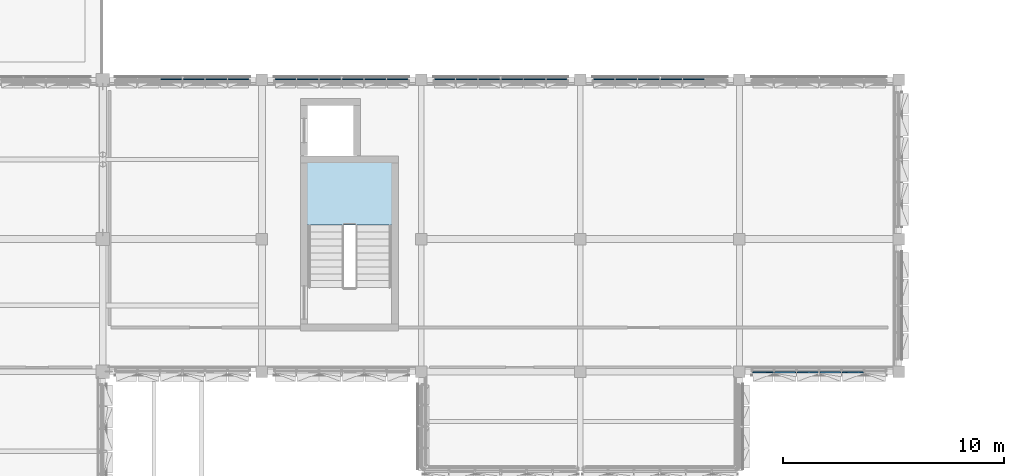
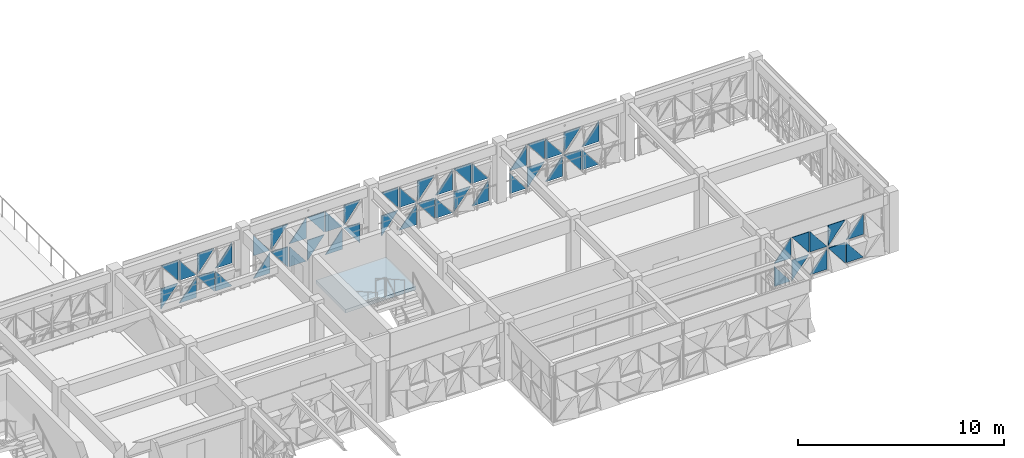
# One storey, part 39 of 99: 52 plates, 1 slab, 6 elements without a shape of their own.
"""IFC4 building model written with IfcOpenShell, lengths in metres."""

from ifc_helpers import new_model, si_unit, direction, frame, origin, place, context, subcontext, project, spatial, polyline, outline, extrude, material, layer, layer_set, type_object, element, aggregate, save


model = new_model("IFC4")

# Units and contexts
model_context = context("Model", 3, precision=1e-05, world=origin(), true_north=direction((0.0, 1.0)))
body_context = subcontext(model_context, "Body", "Model", "MODEL_VIEW")
ifc_project = project(units=[si_unit("LENGTHUNIT", "METRE"), si_unit("AREAUNIT", "SQUARE_METRE"), si_unit("VOLUMEUNIT", "CUBIC_METRE"), si_unit("PLANEANGLEUNIT", "RADIAN"), si_unit("MASSUNIT", "GRAM", prefix="KILO")], contexts=[model_context])

# Site, building, storey
site_placement = place(None, origin())
site = spatial("IfcSite", under=ifc_project, at=site_placement, CompositionType="ELEMENT")
building_placement = place(site_placement, origin())
building = spatial("IfcBuilding", under=site, at=building_placement, Name="Alvorim Cloister Faculty of Sciences", CompositionType="ELEMENT")
storey_placement = place(building_placement, frame((0.0, 0.0, 12.14990234375)))
storey = spatial("IfcBuildingStorey", under=building, at=storey_placement, Name="L03", CompositionType="ELEMENT", Elevation=12.14990234375)

# Curtain wall, plates
ifc_material_1 = material(Name="Aluminium and Low-E Glass Curtain Wall", Category="aluminium")
curtain_wall_type = type_object("IfcCurtainWallType", Name="CW-TRI-6120x2850", PredefinedType="USERDEFINED", material=ifc_material_1)
curtain_wall_1_placement = place(storey_placement, origin())
curtain_wall_1 = element("IfcCurtainWall", 1, at=curtain_wall_1_placement, inside=storey, type_object=curtain_wall_type, Name="L03 Diagonal Cassette Curtain Wall CW-0125", ObjectType="UNITISED CURTAIN WALL", PredefinedType="USERDEFINED")
ifc_material_2 = material(Name="Double Low-E Laminated Glass", Category="glass")
ifc_layer_1 = layer(ifc_material_2, 0.0400390625)
ifc_layer_set_1 = layer_set([ifc_layer_1], Name="Double Low-E Laminated Glass")
plate_type = type_object("IfcPlateType", Name="PN-GLZ-40", PredefinedType="CURTAIN_PANEL", material=ifc_layer_set_1)
plate_1_placement = place(storey_placement, frame((31.41259765625, 56.425048828125, 0.14013671875), z_axis=(0.0, 0.0, 1.0), x_axis=(1.0, 0.0, 0.0)))
plate_1 = element("IfcPlate", 2, at=plate_1_placement, type_object=plate_type, Name="Diagonal Glazed Triangle TRI-TL", PredefinedType="CURTAIN_PANEL", context=body_context, shape_type="SweptSolid", body=[
    extrude(outline(polyline([(0.953125, 1.21484375), (0.0, 1.21484375), (0.0, 0.001953125), (0.953125, 1.21484375)])), frame((0.0, 0.02490234375, 0.0), z_axis=(0.0, -1.0, 0.0), x_axis=(1.0, 0.0, 0.0)), (0.0, 0.0, 1.0), 0.050048828125),
])
plate_2_placement = place(storey_placement, frame((31.41259765625, 56.425048828125, 1.4951171875), z_axis=(0.0, 0.0, 1.0), x_axis=(1.0, 0.0, 0.0)))
plate_2 = element("IfcPlate", 3, at=plate_2_placement, type_object=plate_type, Name="Diagonal Glazed Triangle TRI-TR", PredefinedType="CURTAIN_PANEL", context=body_context, shape_type="SweptSolid", body=[
    extrude(outline(polyline([(0.955078125, 0.001953125), (0.955078125, 1.215087890625), (0.001953125, 1.215087890625), (0.955078125, 0.001953125)])), frame((0.0, 0.02490234375, 0.0), z_axis=(0.0, -1.0, 0.0), x_axis=(1.0, 0.0, 0.0)), (0.0, 0.0, 1.0), 0.050048828125),
])
plate_3_placement = place(storey_placement, frame((32.4326171875, 56.425048828125, 0.14013671875), z_axis=(0.0, 0.0, 1.0), x_axis=(1.0, 0.0, 0.0)))
plate_3 = element("IfcPlate", 4, at=plate_3_placement, type_object=plate_type, Name="Diagonal Glazed Triangle TRI-BR", PredefinedType="CURTAIN_PANEL", context=body_context, shape_type="SweptSolid", body=[
    extrude(outline(polyline([(0.001953125, 0.0), (0.955078125, 0.0), (0.955078125, 1.212890625), (0.001953125, 0.0)])), frame((0.0, 0.02490234375, 0.0), z_axis=(0.0, -1.0, 0.0), x_axis=(1.0, 0.0, 0.0)), (0.0, 0.0, 1.0), 0.050048828125),
])
plate_4_placement = place(storey_placement, frame((32.4326171875, 56.425048828125, 1.4951171875), z_axis=(0.0, 0.0, 1.0), x_axis=(1.0, 0.0, 0.0)))
plate_4 = element("IfcPlate", 5, at=plate_4_placement, type_object=plate_type, Name="Diagonal Glazed Triangle TRI-BL", PredefinedType="CURTAIN_PANEL", context=body_context, shape_type="SweptSolid", body=[
    extrude(outline(polyline([(0.0, 0.0), (0.953125, 0.0), (0.0, 1.213134765625), (0.0, 0.0)])), frame((0.0, 0.02490234375, 0.0), z_axis=(0.0, -1.0, 0.0), x_axis=(1.0, 0.0, 0.0)), (0.0, 0.0, 1.0), 0.050048828125),
])
plate_5_placement = place(storey_placement, frame((33.452392578125, 56.425048828125, 0.14013671875), z_axis=(0.0, 0.0, 1.0), x_axis=(1.0, 0.0, 0.0)))
plate_5 = element("IfcPlate", 6, at=plate_5_placement, type_object=plate_type, Name="Diagonal Glazed Triangle TRI-TR", PredefinedType="CURTAIN_PANEL", context=body_context, shape_type="SweptSolid", body=[
    extrude(outline(polyline([(0.955078125, 0.001953125), (0.955078125, 1.21484375), (0.001953125, 1.21484375), (0.955078125, 0.001953125)])), frame((0.0, 0.02490234375, 0.0), z_axis=(0.0, -1.0, 0.0), x_axis=(1.0, 0.0, 0.0)), (0.0, 0.0, 1.0), 0.050048828125),
])
plate_6_placement = place(storey_placement, frame((33.452392578125, 56.425048828125, 1.4951171875), z_axis=(0.0, 0.0, 1.0), x_axis=(1.0, 0.0, 0.0)))
plate_6 = element("IfcPlate", 7, at=plate_6_placement, type_object=plate_type, Name="Diagonal Glazed Triangle TRI-TL", PredefinedType="CURTAIN_PANEL", context=body_context, shape_type="SweptSolid", body=[
    extrude(outline(polyline([(0.953125, 1.215087890625), (0.0, 1.215087890625), (0.0, 0.001953125), (0.953125, 1.215087890625)])), frame((0.0, 0.02490234375, 0.0), z_axis=(0.0, -1.0, 0.0), x_axis=(1.0, 0.0, 0.0)), (0.0, 0.0, 1.0), 0.050048828125),
])
plate_7_placement = place(storey_placement, frame((34.472412109375, 56.425048828125, 0.14013671875), z_axis=(0.0, 0.0, 1.0), x_axis=(1.0, 0.0, 0.0)))
plate_7 = element("IfcPlate", 8, at=plate_7_placement, type_object=plate_type, Name="Diagonal Glazed Triangle TRI-BL", PredefinedType="CURTAIN_PANEL", context=body_context, shape_type="SweptSolid", body=[
    extrude(outline(polyline([(0.0, 0.0), (0.920654296875, 0.0), (0.0, 1.212890625), (0.0, 0.0)])), frame((0.0, 0.02490234375, 0.0), z_axis=(0.0, -1.0, 0.0), x_axis=(1.0, 0.0, 0.0)), (0.0, 0.0, 1.0), 0.050048828125),
])
plate_8_placement = place(storey_placement, frame((34.472412109375, 56.425048828125, 1.4951171875), z_axis=(0.0, 0.0, 1.0), x_axis=(1.0, 0.0, 0.0)))
plate_8 = element("IfcPlate", 9, at=plate_8_placement, type_object=plate_type, Name="Diagonal Glazed Triangle TRI-BR", PredefinedType="CURTAIN_PANEL", context=body_context, shape_type="SweptSolid", body=[
    extrude(outline(polyline([(0.001953125, 0.0), (0.922607421875, 0.0), (0.922607421875, 1.213134765625), (0.001953125, 0.0)])), frame((0.0, 0.02490234375, 0.0), z_axis=(0.0, -1.0, 0.0), x_axis=(1.0, 0.0, 0.0)), (0.0, 0.0, 1.0), 0.050048828125),
])
aggregate(curtain_wall_1, [plate_1, plate_2, plate_3, plate_4, plate_5, plate_6, plate_7, plate_8])

curtain_wall_2_placement = place(storey_placement, origin())
curtain_wall_2 = element("IfcCurtainWall", 10, at=curtain_wall_2_placement, inside=storey, type_object=curtain_wall_type, Name="L03 Diagonal Cassette Curtain Wall CW-0126", ObjectType="UNITISED CURTAIN WALL", PredefinedType="USERDEFINED")
plate_9_placement = place(storey_placement, frame((36.60498046875, 56.425048828125, 0.14013671875), z_axis=(0.0, 0.0, 1.0), x_axis=(1.0, 0.0, 0.0)))
plate_9 = element("IfcPlate", 11, at=plate_9_placement, type_object=plate_type, Name="Diagonal Glazed Triangle TRI-BR", PredefinedType="CURTAIN_PANEL", context=body_context, shape_type="SweptSolid", body=[
    extrude(outline(polyline([(0.001953125, 0.0), (0.922607421875, 0.0), (0.922607421875, 1.212890625), (0.001953125, 0.0)])), frame((0.0, 0.02490234375, 0.0), z_axis=(0.0, -1.0, 0.0), x_axis=(1.0, 0.0, 0.0)), (0.0, 0.0, 1.0), 0.050048828125),
])
plate_10_placement = place(storey_placement, frame((36.60498046875, 56.425048828125, 1.4951171875), z_axis=(0.0, 0.0, 1.0), x_axis=(1.0, 0.0, 0.0)))
plate_10 = element("IfcPlate", 12, at=plate_10_placement, type_object=plate_type, Name="Diagonal Glazed Triangle TRI-BL", PredefinedType="CURTAIN_PANEL", context=body_context, shape_type="SweptSolid", body=[
    extrude(outline(polyline([(0.0, 0.0), (0.920654296875, 0.0), (0.0, 1.213134765625), (0.0, 0.0)])), frame((0.0, 0.02490234375, 0.0), z_axis=(0.0, -1.0, 0.0), x_axis=(1.0, 0.0, 0.0)), (0.0, 0.0, 1.0), 0.050048828125),
])
plate_11_placement = place(storey_placement, frame((37.592529296875, 56.425048828125, 0.14013671875), z_axis=(0.0, 0.0, 1.0), x_axis=(1.0, 0.0, 0.0)))
plate_11 = element("IfcPlate", 13, at=plate_11_placement, type_object=plate_type, Name="Diagonal Glazed Triangle TRI-TR", PredefinedType="CURTAIN_PANEL", context=body_context, shape_type="SweptSolid", body=[
    extrude(outline(polyline([(0.955078125, 0.001953125), (0.955078125, 1.21484375), (0.001953125, 1.21484375), (0.955078125, 0.001953125)])), frame((0.0, 0.02490234375, 0.0), z_axis=(0.0, -1.0, 0.0), x_axis=(1.0, 0.0, 0.0)), (0.0, 0.0, 1.0), 0.050048828125),
])
plate_12_placement = place(storey_placement, frame((37.592529296875, 56.425048828125, 1.4951171875), z_axis=(0.0, 0.0, 1.0), x_axis=(1.0, 0.0, 0.0)))
plate_12 = element("IfcPlate", 14, at=plate_12_placement, type_object=plate_type, Name="Diagonal Glazed Triangle TRI-TL", PredefinedType="CURTAIN_PANEL", context=body_context, shape_type="SweptSolid", body=[
    extrude(outline(polyline([(0.953125, 1.215087890625), (0.0, 1.215087890625), (0.0, 0.001953125), (0.953125, 1.215087890625)])), frame((0.0, 0.02490234375, 0.0), z_axis=(0.0, -1.0, 0.0), x_axis=(1.0, 0.0, 0.0)), (0.0, 0.0, 1.0), 0.050048828125),
])
plate_13_placement = place(storey_placement, frame((38.612548828125, 56.425048828125, 0.14013671875), z_axis=(0.0, 0.0, 1.0), x_axis=(1.0, 0.0, 0.0)))
plate_13 = element("IfcPlate", 15, at=plate_13_placement, type_object=plate_type, Name="Diagonal Glazed Triangle TRI-BL", PredefinedType="CURTAIN_PANEL", context=body_context, shape_type="SweptSolid", body=[
    extrude(outline(polyline([(0.0, 0.0), (0.953125, 0.0), (0.0, 1.212890625), (0.0, 0.0)])), frame((0.0, 0.02490234375, 0.0), z_axis=(0.0, -1.0, 0.0), x_axis=(1.0, 0.0, 0.0)), (0.0, 0.0, 1.0), 0.050048828125),
])
plate_14_placement = place(storey_placement, frame((38.612548828125, 56.425048828125, 1.4951171875), z_axis=(0.0, 0.0, 1.0), x_axis=(1.0, 0.0, 0.0)))
plate_14 = element("IfcPlate", 16, at=plate_14_placement, type_object=plate_type, Name="Diagonal Glazed Triangle TRI-BR", PredefinedType="CURTAIN_PANEL", context=body_context, shape_type="SweptSolid", body=[
    extrude(outline(polyline([(0.001953125, 0.0), (0.955078125, 0.0), (0.955078125, 1.213134765625), (0.001953125, 0.0)])), frame((0.0, 0.02490234375, 0.0), z_axis=(0.0, -1.0, 0.0), x_axis=(1.0, 0.0, 0.0)), (0.0, 0.0, 1.0), 0.050048828125),
])
plate_15_placement = place(storey_placement, frame((39.632568359375, 56.425048828125, 0.14013671875), z_axis=(0.0, 0.0, 1.0), x_axis=(1.0, 0.0, 0.0)))
plate_15 = element("IfcPlate", 17, at=plate_15_placement, type_object=plate_type, Name="Diagonal Glazed Triangle TRI-TL", PredefinedType="CURTAIN_PANEL", context=body_context, shape_type="SweptSolid", body=[
    extrude(outline(polyline([(0.953125, 1.21484375), (0.0, 1.21484375), (0.0, 0.001953125), (0.953125, 1.21484375)])), frame((0.0, 0.02490234375, 0.0), z_axis=(0.0, -1.0, 0.0), x_axis=(1.0, 0.0, 0.0)), (0.0, 0.0, 1.0), 0.050048828125),
])
plate_16_placement = place(storey_placement, frame((39.632568359375, 56.425048828125, 1.4951171875), z_axis=(0.0, 0.0, 1.0), x_axis=(1.0, 0.0, 0.0)))
plate_16 = element("IfcPlate", 18, at=plate_16_placement, type_object=plate_type, Name="Diagonal Glazed Triangle TRI-TR", PredefinedType="CURTAIN_PANEL", context=body_context, shape_type="SweptSolid", body=[
    extrude(outline(polyline([(0.955078125, 0.001953125), (0.955078125, 1.215087890625), (0.001953125, 1.215087890625), (0.955078125, 0.001953125)])), frame((0.0, 0.02490234375, 0.0), z_axis=(0.0, -1.0, 0.0), x_axis=(1.0, 0.0, 0.0)), (0.0, 0.0, 1.0), 0.050048828125),
])
plate_17_placement = place(storey_placement, frame((40.652587890625, 56.425048828125, 0.14013671875), z_axis=(0.0, 0.0, 1.0), x_axis=(1.0, 0.0, 0.0)))
plate_17 = element("IfcPlate", 19, at=plate_17_placement, type_object=plate_type, Name="Diagonal Glazed Triangle TRI-BR", PredefinedType="CURTAIN_PANEL", context=body_context, shape_type="SweptSolid", body=[
    extrude(outline(polyline([(0.001953125, 0.0), (0.955078125, 0.0), (0.955078125, 1.212890625), (0.001953125, 0.0)])), frame((0.0, 0.02490234375, 0.0), z_axis=(0.0, -1.0, 0.0), x_axis=(1.0, 0.0, 0.0)), (0.0, 0.0, 1.0), 0.050048828125),
])
plate_18_placement = place(storey_placement, frame((40.652587890625, 56.425048828125, 1.4951171875), z_axis=(0.0, 0.0, 1.0), x_axis=(1.0, 0.0, 0.0)))
plate_18 = element("IfcPlate", 20, at=plate_18_placement, type_object=plate_type, Name="Diagonal Glazed Triangle TRI-BL", PredefinedType="CURTAIN_PANEL", context=body_context, shape_type="SweptSolid", body=[
    extrude(outline(polyline([(0.0, 0.0), (0.953125, 0.0), (0.0, 1.213134765625), (0.0, 0.0)])), frame((0.0, 0.02490234375, 0.0), z_axis=(0.0, -1.0, 0.0), x_axis=(1.0, 0.0, 0.0)), (0.0, 0.0, 1.0), 0.050048828125),
])
plate_19_placement = place(storey_placement, frame((41.672607421875, 56.425048828125, 0.14013671875), z_axis=(0.0, 0.0, 1.0), x_axis=(1.0, 0.0, 0.0)))
plate_19 = element("IfcPlate", 21, at=plate_19_placement, type_object=plate_type, Name="Diagonal Glazed Triangle TRI-TR", PredefinedType="CURTAIN_PANEL", context=body_context, shape_type="SweptSolid", body=[
    extrude(outline(polyline([(0.922607421875, 0.001953125), (0.922607421875, 1.21484375), (0.001953125, 1.21484375), (0.922607421875, 0.001953125)])), frame((0.0, 0.02490234375, 0.0), z_axis=(0.0, -1.0, 0.0), x_axis=(1.0, 0.0, 0.0)), (0.0, 0.0, 1.0), 0.050048828125),
])
plate_20_placement = place(storey_placement, frame((41.672607421875, 56.425048828125, 1.4951171875), z_axis=(0.0, 0.0, 1.0), x_axis=(1.0, 0.0, 0.0)))
plate_20 = element("IfcPlate", 22, at=plate_20_placement, type_object=plate_type, Name="Diagonal Glazed Triangle TRI-TL", PredefinedType="CURTAIN_PANEL", context=body_context, shape_type="SweptSolid", body=[
    extrude(outline(polyline([(0.920654296875, 1.215087890625), (0.0, 1.215087890625), (0.0, 0.001953125), (0.920654296875, 1.215087890625)])), frame((0.0, 0.02490234375, 0.0), z_axis=(0.0, -1.0, 0.0), x_axis=(1.0, 0.0, 0.0)), (0.0, 0.0, 1.0), 0.050048828125),
])
aggregate(curtain_wall_2, [plate_9, plate_10, plate_11, plate_12, plate_13, plate_14, plate_15, plate_16, plate_17, plate_18, plate_19, plate_20])

curtain_wall_3_placement = place(storey_placement, origin())
curtain_wall_3 = element("IfcCurtainWall", 23, at=curtain_wall_3_placement, inside=storey, type_object=curtain_wall_type, Name="L03 Diagonal Cassette Curtain Wall CW-0127", ObjectType="UNITISED CURTAIN WALL", PredefinedType="USERDEFINED")
plate_21_placement = place(storey_placement, frame((43.804931640625, 56.425048828125, 0.14013671875), z_axis=(0.0, 0.0, 1.0), x_axis=(1.0, 0.0, 0.0)))
plate_21 = element("IfcPlate", 24, at=plate_21_placement, type_object=plate_type, Name="Diagonal Glazed Triangle TRI-TL", PredefinedType="CURTAIN_PANEL", context=body_context, shape_type="SweptSolid", body=[
    extrude(outline(polyline([(0.920654296875, 1.21484375), (0.0, 1.21484375), (0.0, 0.001953125), (0.920654296875, 1.21484375)])), frame((0.0, 0.02490234375, 0.0), z_axis=(0.0, -1.0, 0.0), x_axis=(1.0, 0.0, 0.0)), (0.0, 0.0, 1.0), 0.050048828125),
])
plate_22_placement = place(storey_placement, frame((43.804931640625, 56.425048828125, 1.4951171875), z_axis=(0.0, 0.0, 1.0), x_axis=(1.0, 0.0, 0.0)))
plate_22 = element("IfcPlate", 25, at=plate_22_placement, type_object=plate_type, Name="Diagonal Glazed Triangle TRI-TR", PredefinedType="CURTAIN_PANEL", context=body_context, shape_type="SweptSolid", body=[
    extrude(outline(polyline([(0.922607421875, 0.001953125), (0.922607421875, 1.215087890625), (0.001953125, 1.215087890625), (0.922607421875, 0.001953125)])), frame((0.0, 0.02490234375, 0.0), z_axis=(0.0, -1.0, 0.0), x_axis=(1.0, 0.0, 0.0)), (0.0, 0.0, 1.0), 0.050048828125),
])
plate_23_placement = place(storey_placement, frame((44.79248046875, 56.425048828125, 0.14013671875), z_axis=(0.0, 0.0, 1.0), x_axis=(1.0, 0.0, 0.0)))
plate_23 = element("IfcPlate", 26, at=plate_23_placement, type_object=plate_type, Name="Diagonal Glazed Triangle TRI-BR", PredefinedType="CURTAIN_PANEL", context=body_context, shape_type="SweptSolid", body=[
    extrude(outline(polyline([(0.001953125, 0.0), (0.955078125, 0.0), (0.955078125, 1.212890625), (0.001953125, 0.0)])), frame((0.0, 0.02490234375, 0.0), z_axis=(0.0, -1.0, 0.0), x_axis=(1.0, 0.0, 0.0)), (0.0, 0.0, 1.0), 0.050048828125),
])
plate_24_placement = place(storey_placement, frame((44.79248046875, 56.425048828125, 1.4951171875), z_axis=(0.0, 0.0, 1.0), x_axis=(1.0, 0.0, 0.0)))
plate_24 = element("IfcPlate", 27, at=plate_24_placement, type_object=plate_type, Name="Diagonal Glazed Triangle TRI-BL", PredefinedType="CURTAIN_PANEL", context=body_context, shape_type="SweptSolid", body=[
    extrude(outline(polyline([(0.0, 0.0), (0.953125, 0.0), (0.0, 1.213134765625), (0.0, 0.0)])), frame((0.0, 0.02490234375, 0.0), z_axis=(0.0, -1.0, 0.0), x_axis=(1.0, 0.0, 0.0)), (0.0, 0.0, 1.0), 0.050048828125),
])
plate_25_placement = place(storey_placement, frame((45.8125, 56.425048828125, 0.14013671875), z_axis=(0.0, 0.0, 1.0), x_axis=(1.0, 0.0, 0.0)))
plate_25 = element("IfcPlate", 28, at=plate_25_placement, type_object=plate_type, Name="Diagonal Glazed Triangle TRI-TR", PredefinedType="CURTAIN_PANEL", context=body_context, shape_type="SweptSolid", body=[
    extrude(outline(polyline([(0.955078125, 0.001953125), (0.955078125, 1.21484375), (0.001953125, 1.21484375), (0.955078125, 0.001953125)])), frame((0.0, 0.02490234375, 0.0), z_axis=(0.0, -1.0, 0.0), x_axis=(1.0, 0.0, 0.0)), (0.0, 0.0, 1.0), 0.050048828125),
])
plate_26_placement = place(storey_placement, frame((45.8125, 56.425048828125, 1.4951171875), z_axis=(0.0, 0.0, 1.0), x_axis=(1.0, 0.0, 0.0)))
plate_26 = element("IfcPlate", 29, at=plate_26_placement, type_object=plate_type, Name="Diagonal Glazed Triangle TRI-TL", PredefinedType="CURTAIN_PANEL", context=body_context, shape_type="SweptSolid", body=[
    extrude(outline(polyline([(0.953125, 1.215087890625), (0.0, 1.215087890625), (0.0, 0.001953125), (0.953125, 1.215087890625)])), frame((0.0, 0.02490234375, 0.0), z_axis=(0.0, -1.0, 0.0), x_axis=(1.0, 0.0, 0.0)), (0.0, 0.0, 1.0), 0.050048828125),
])
plate_27_placement = place(storey_placement, frame((46.83251953125, 56.425048828125, 0.14013671875), z_axis=(0.0, 0.0, 1.0), x_axis=(1.0, 0.0, 0.0)))
plate_27 = element("IfcPlate", 30, at=plate_27_placement, type_object=plate_type, Name="Diagonal Glazed Triangle TRI-BL", PredefinedType="CURTAIN_PANEL", context=body_context, shape_type="SweptSolid", body=[
    extrude(outline(polyline([(0.0, 0.0), (0.953125, 0.0), (0.0, 1.212890625), (0.0, 0.0)])), frame((0.0, 0.02490234375, 0.0), z_axis=(0.0, -1.0, 0.0), x_axis=(1.0, 0.0, 0.0)), (0.0, 0.0, 1.0), 0.050048828125),
])
plate_28_placement = place(storey_placement, frame((46.83251953125, 56.425048828125, 1.4951171875), z_axis=(0.0, 0.0, 1.0), x_axis=(1.0, 0.0, 0.0)))
plate_28 = element("IfcPlate", 31, at=plate_28_placement, type_object=plate_type, Name="Diagonal Glazed Triangle TRI-BR", PredefinedType="CURTAIN_PANEL", context=body_context, shape_type="SweptSolid", body=[
    extrude(outline(polyline([(0.001953125, 0.0), (0.955078125, 0.0), (0.955078125, 1.213134765625), (0.001953125, 0.0)])), frame((0.0, 0.02490234375, 0.0), z_axis=(0.0, -1.0, 0.0), x_axis=(1.0, 0.0, 0.0)), (0.0, 0.0, 1.0), 0.050048828125),
])
plate_29_placement = place(storey_placement, frame((47.8525390625, 56.425048828125, 0.14013671875), z_axis=(0.0, 0.0, 1.0), x_axis=(1.0, 0.0, 0.0)))
plate_29 = element("IfcPlate", 32, at=plate_29_placement, type_object=plate_type, Name="Diagonal Glazed Triangle TRI-TL", PredefinedType="CURTAIN_PANEL", context=body_context, shape_type="SweptSolid", body=[
    extrude(outline(polyline([(0.953125, 1.21484375), (0.0, 1.21484375), (0.0, 0.001953125), (0.953125, 1.21484375)])), frame((0.0, 0.02490234375, 0.0), z_axis=(0.0, -1.0, 0.0), x_axis=(1.0, 0.0, 0.0)), (0.0, 0.0, 1.0), 0.050048828125),
])
plate_30_placement = place(storey_placement, frame((47.8525390625, 56.425048828125, 1.4951171875), z_axis=(0.0, 0.0, 1.0), x_axis=(1.0, 0.0, 0.0)))
plate_30 = element("IfcPlate", 33, at=plate_30_placement, type_object=plate_type, Name="Diagonal Glazed Triangle TRI-TR", PredefinedType="CURTAIN_PANEL", context=body_context, shape_type="SweptSolid", body=[
    extrude(outline(polyline([(0.955078125, 0.001953125), (0.955078125, 1.215087890625), (0.001953125, 1.215087890625), (0.955078125, 0.001953125)])), frame((0.0, 0.02490234375, 0.0), z_axis=(0.0, -1.0, 0.0), x_axis=(1.0, 0.0, 0.0)), (0.0, 0.0, 1.0), 0.050048828125),
])
plate_31_placement = place(storey_placement, frame((48.87255859375, 56.425048828125, 0.14013671875), z_axis=(0.0, 0.0, 1.0), x_axis=(1.0, 0.0, 0.0)))
plate_31 = element("IfcPlate", 34, at=plate_31_placement, type_object=plate_type, Name="Diagonal Glazed Triangle TRI-BR", PredefinedType="CURTAIN_PANEL", context=body_context, shape_type="SweptSolid", body=[
    extrude(outline(polyline([(0.001953125, 0.0), (0.922607421875, 0.0), (0.922607421875, 1.212890625), (0.001953125, 0.0)])), frame((0.0, 0.02490234375, 0.0), z_axis=(0.0, -1.0, 0.0), x_axis=(1.0, 0.0, 0.0)), (0.0, 0.0, 1.0), 0.050048828125),
])
plate_32_placement = place(storey_placement, frame((48.87255859375, 56.425048828125, 1.4951171875), z_axis=(0.0, 0.0, 1.0), x_axis=(1.0, 0.0, 0.0)))
plate_32 = element("IfcPlate", 35, at=plate_32_placement, type_object=plate_type, Name="Diagonal Glazed Triangle TRI-BL", PredefinedType="CURTAIN_PANEL", context=body_context, shape_type="SweptSolid", body=[
    extrude(outline(polyline([(0.0, 0.0), (0.920654296875, 0.0), (0.0, 1.213134765625), (0.0, 0.0)])), frame((0.0, 0.02490234375, 0.0), z_axis=(0.0, -1.0, 0.0), x_axis=(1.0, 0.0, 0.0)), (0.0, 0.0, 1.0), 0.050048828125),
])
aggregate(curtain_wall_3, [plate_21, plate_22, plate_23, plate_24, plate_25, plate_26, plate_27, plate_28, plate_29, plate_30, plate_31, plate_32])

curtain_wall_4_placement = place(storey_placement, origin())
curtain_wall_4 = element("IfcCurtainWall", 36, at=curtain_wall_4_placement, inside=storey, type_object=curtain_wall_type, Name="L03 Diagonal Cassette Curtain Wall CW-0128", ObjectType="UNITISED CURTAIN WALL", PredefinedType="USERDEFINED")
plate_33_placement = place(storey_placement, frame((51.0048828125, 56.425048828125, 0.14013671875), z_axis=(0.0, 0.0, 1.0), x_axis=(1.0, 0.0, 0.0)))
plate_33 = element("IfcPlate", 37, at=plate_33_placement, type_object=plate_type, Name="Diagonal Glazed Triangle TRI-BL", PredefinedType="CURTAIN_PANEL", context=body_context, shape_type="SweptSolid", body=[
    extrude(outline(polyline([(0.0, 0.0), (0.920654296875, 0.0), (0.0, 1.212890625), (0.0, 0.0)])), frame((0.0, 0.02490234375, 0.0), z_axis=(0.0, -1.0, 0.0), x_axis=(1.0, 0.0, 0.0)), (0.0, 0.0, 1.0), 0.050048828125),
])
plate_34_placement = place(storey_placement, frame((51.0048828125, 56.425048828125, 1.4951171875), z_axis=(0.0, 0.0, 1.0), x_axis=(1.0, 0.0, 0.0)))
plate_34 = element("IfcPlate", 38, at=plate_34_placement, type_object=plate_type, Name="Diagonal Glazed Triangle TRI-BR", PredefinedType="CURTAIN_PANEL", context=body_context, shape_type="SweptSolid", body=[
    extrude(outline(polyline([(0.001953125, 0.0), (0.922607421875, 0.0), (0.922607421875, 1.213134765625), (0.001953125, 0.0)])), frame((0.0, 0.02490234375, 0.0), z_axis=(0.0, -1.0, 0.0), x_axis=(1.0, 0.0, 0.0)), (0.0, 0.0, 1.0), 0.050048828125),
])
plate_35_placement = place(storey_placement, frame((51.992431640625, 56.425048828125, 0.14013671875), z_axis=(0.0, 0.0, 1.0), x_axis=(1.0, 0.0, 0.0)))
plate_35 = element("IfcPlate", 39, at=plate_35_placement, type_object=plate_type, Name="Diagonal Glazed Triangle TRI-TL", PredefinedType="CURTAIN_PANEL", context=body_context, shape_type="SweptSolid", body=[
    extrude(outline(polyline([(0.953125, 1.21484375), (0.0, 1.21484375), (0.0, 0.001953125), (0.953125, 1.21484375)])), frame((0.0, 0.02490234375, 0.0), z_axis=(0.0, -1.0, 0.0), x_axis=(1.0, 0.0, 0.0)), (0.0, 0.0, 1.0), 0.050048828125),
])
plate_36_placement = place(storey_placement, frame((51.992431640625, 56.425048828125, 1.4951171875), z_axis=(0.0, 0.0, 1.0), x_axis=(1.0, 0.0, 0.0)))
plate_36 = element("IfcPlate", 40, at=plate_36_placement, type_object=plate_type, Name="Diagonal Glazed Triangle TRI-TR", PredefinedType="CURTAIN_PANEL", context=body_context, shape_type="SweptSolid", body=[
    extrude(outline(polyline([(0.955078125, 0.001953125), (0.955078125, 1.215087890625), (0.001953125, 1.215087890625), (0.955078125, 0.001953125)])), frame((0.0, 0.02490234375, 0.0), z_axis=(0.0, -1.0, 0.0), x_axis=(1.0, 0.0, 0.0)), (0.0, 0.0, 1.0), 0.050048828125),
])
plate_37_placement = place(storey_placement, frame((53.012451171875, 56.425048828125, 0.14013671875), z_axis=(0.0, 0.0, 1.0), x_axis=(1.0, 0.0, 0.0)))
plate_37 = element("IfcPlate", 41, at=plate_37_placement, type_object=plate_type, Name="Diagonal Glazed Triangle TRI-BR", PredefinedType="CURTAIN_PANEL", context=body_context, shape_type="SweptSolid", body=[
    extrude(outline(polyline([(0.001953125, 0.0), (0.955078125, 0.0), (0.955078125, 1.212890625), (0.001953125, 0.0)])), frame((0.0, 0.02490234375, 0.0), z_axis=(0.0, -1.0, 0.0), x_axis=(1.0, 0.0, 0.0)), (0.0, 0.0, 1.0), 0.050048828125),
])
plate_38_placement = place(storey_placement, frame((53.012451171875, 56.425048828125, 1.4951171875), z_axis=(0.0, 0.0, 1.0), x_axis=(1.0, 0.0, 0.0)))
plate_38 = element("IfcPlate", 42, at=plate_38_placement, type_object=plate_type, Name="Diagonal Glazed Triangle TRI-BL", PredefinedType="CURTAIN_PANEL", context=body_context, shape_type="SweptSolid", body=[
    extrude(outline(polyline([(0.0, 0.0), (0.953125, 0.0), (0.0, 1.213134765625), (0.0, 0.0)])), frame((0.0, 0.02490234375, 0.0), z_axis=(0.0, -1.0, 0.0), x_axis=(1.0, 0.0, 0.0)), (0.0, 0.0, 1.0), 0.050048828125),
])
plate_39_placement = place(storey_placement, frame((54.032470703125, 56.425048828125, 0.14013671875), z_axis=(0.0, 0.0, 1.0), x_axis=(1.0, 0.0, 0.0)))
plate_39 = element("IfcPlate", 43, at=plate_39_placement, type_object=plate_type, Name="Diagonal Glazed Triangle TRI-TR", PredefinedType="CURTAIN_PANEL", context=body_context, shape_type="SweptSolid", body=[
    extrude(outline(polyline([(0.955078125, 0.001953125), (0.955078125, 1.21484375), (0.001953125, 1.21484375), (0.955078125, 0.001953125)])), frame((0.0, 0.02490234375, 0.0), z_axis=(0.0, -1.0, 0.0), x_axis=(1.0, 0.0, 0.0)), (0.0, 0.0, 1.0), 0.050048828125),
])
plate_40_placement = place(storey_placement, frame((54.032470703125, 56.425048828125, 1.4951171875), z_axis=(0.0, 0.0, 1.0), x_axis=(1.0, 0.0, 0.0)))
plate_40 = element("IfcPlate", 44, at=plate_40_placement, type_object=plate_type, Name="Diagonal Glazed Triangle TRI-TL", PredefinedType="CURTAIN_PANEL", context=body_context, shape_type="SweptSolid", body=[
    extrude(outline(polyline([(0.953125, 1.215087890625), (0.0, 1.215087890625), (0.0, 0.001953125), (0.953125, 1.215087890625)])), frame((0.0, 0.02490234375, 0.0), z_axis=(0.0, -1.0, 0.0), x_axis=(1.0, 0.0, 0.0)), (0.0, 0.0, 1.0), 0.050048828125),
])
plate_41_placement = place(storey_placement, frame((55.052490234375, 56.425048828125, 0.14013671875), z_axis=(0.0, 0.0, 1.0), x_axis=(1.0, 0.0, 0.0)))
plate_41 = element("IfcPlate", 45, at=plate_41_placement, type_object=plate_type, Name="Diagonal Glazed Triangle TRI-BL", PredefinedType="CURTAIN_PANEL", context=body_context, shape_type="SweptSolid", body=[
    extrude(outline(polyline([(0.0, 0.0), (0.953125, 0.0), (0.0, 1.212890625), (0.0, 0.0)])), frame((0.0, 0.02490234375, 0.0), z_axis=(0.0, -1.0, 0.0), x_axis=(1.0, 0.0, 0.0)), (0.0, 0.0, 1.0), 0.050048828125),
])
plate_42_placement = place(storey_placement, frame((55.052490234375, 56.425048828125, 1.4951171875), z_axis=(0.0, 0.0, 1.0), x_axis=(1.0, 0.0, 0.0)))
plate_42 = element("IfcPlate", 46, at=plate_42_placement, type_object=plate_type, Name="Diagonal Glazed Triangle TRI-BR", PredefinedType="CURTAIN_PANEL", context=body_context, shape_type="SweptSolid", body=[
    extrude(outline(polyline([(0.001953125, 0.0), (0.955078125, 0.0), (0.955078125, 1.213134765625), (0.001953125, 0.0)])), frame((0.0, 0.02490234375, 0.0), z_axis=(0.0, -1.0, 0.0), x_axis=(1.0, 0.0, 0.0)), (0.0, 0.0, 1.0), 0.050048828125),
])
aggregate(curtain_wall_4, [plate_33, plate_34, plate_35, plate_36, plate_37, plate_38, plate_39, plate_40, plate_41, plate_42])

curtain_wall_5_placement = place(storey_placement, origin())
curtain_wall_5 = element("IfcCurtainWall", 47, at=curtain_wall_5_placement, inside=storey, type_object=curtain_wall_type, Name="L03 Diagonal Cassette Curtain Wall CW-0132", ObjectType="UNITISED CURTAIN WALL", PredefinedType="USERDEFINED")
plate_43_placement = place(storey_placement, frame((58.205078125, 43.175048828125, 0.14013671875), z_axis=(0.0, 0.0, 1.0), x_axis=(1.0, 0.0, 0.0)))
plate_43 = element("IfcPlate", 48, at=plate_43_placement, type_object=plate_type, Name="Diagonal Glazed Triangle TRI-BL", PredefinedType="CURTAIN_PANEL", context=body_context, shape_type="SweptSolid", body=[
    extrude(outline(polyline([(0.0, 0.0), (0.920654296875, 0.0), (0.0, 1.212890625), (0.0, 0.0)])), frame((0.0, 0.02490234375, 0.0), z_axis=(0.0, -1.0, 0.0), x_axis=(1.0, 0.0, 0.0)), (0.0, 0.0, 1.0), 0.050048828125),
])
plate_44_placement = place(storey_placement, frame((58.205078125, 43.175048828125, 1.4951171875), z_axis=(0.0, 0.0, 1.0), x_axis=(1.0, 0.0, 0.0)))
plate_44 = element("IfcPlate", 49, at=plate_44_placement, type_object=plate_type, Name="Diagonal Glazed Triangle TRI-BR", PredefinedType="CURTAIN_PANEL", context=body_context, shape_type="SweptSolid", body=[
    extrude(outline(polyline([(0.001953125, 0.0), (0.922607421875, 0.0), (0.922607421875, 1.213134765625), (0.001953125, 0.0)])), frame((0.0, 0.02490234375, 0.0), z_axis=(0.0, -1.0, 0.0), x_axis=(1.0, 0.0, 0.0)), (0.0, 0.0, 1.0), 0.050048828125),
])
plate_45_placement = place(storey_placement, frame((59.1923828125, 43.175048828125, 0.14013671875), z_axis=(0.0, 0.0, 1.0), x_axis=(1.0, 0.0, 0.0)))
plate_45 = element("IfcPlate", 50, at=plate_45_placement, type_object=plate_type, Name="Diagonal Glazed Triangle TRI-TL", PredefinedType="CURTAIN_PANEL", context=body_context, shape_type="SweptSolid", body=[
    extrude(outline(polyline([(0.953125, 1.21484375), (0.0, 1.21484375), (0.0, 0.001953125), (0.953125, 1.21484375)])), frame((0.0, 0.02490234375, 0.0), z_axis=(0.0, -1.0, 0.0), x_axis=(1.0, 0.0, 0.0)), (0.0, 0.0, 1.0), 0.050048828125),
])
plate_46_placement = place(storey_placement, frame((59.1923828125, 43.175048828125, 1.4951171875), z_axis=(0.0, 0.0, 1.0), x_axis=(1.0, 0.0, 0.0)))
plate_46 = element("IfcPlate", 51, at=plate_46_placement, type_object=plate_type, Name="Diagonal Glazed Triangle TRI-TR", PredefinedType="CURTAIN_PANEL", context=body_context, shape_type="SweptSolid", body=[
    extrude(outline(polyline([(0.955078125, 0.001953125), (0.955078125, 1.215087890625), (0.001953125, 1.215087890625), (0.955078125, 0.001953125)])), frame((0.0, 0.02490234375, 0.0), z_axis=(0.0, -1.0, 0.0), x_axis=(1.0, 0.0, 0.0)), (0.0, 0.0, 1.0), 0.050048828125),
])
plate_47_placement = place(storey_placement, frame((60.21240234375, 43.175048828125, 0.14013671875), z_axis=(0.0, 0.0, 1.0), x_axis=(1.0, 0.0, 0.0)))
plate_47 = element("IfcPlate", 52, at=plate_47_placement, type_object=plate_type, Name="Diagonal Glazed Triangle TRI-BR", PredefinedType="CURTAIN_PANEL", context=body_context, shape_type="SweptSolid", body=[
    extrude(outline(polyline([(0.001953125, 0.0), (0.955078125, 0.0), (0.955078125, 1.212890625), (0.001953125, 0.0)])), frame((0.0, 0.02490234375, 0.0), z_axis=(0.0, -1.0, 0.0), x_axis=(1.0, 0.0, 0.0)), (0.0, 0.0, 1.0), 0.050048828125),
])
plate_48_placement = place(storey_placement, frame((60.21240234375, 43.175048828125, 1.4951171875), z_axis=(0.0, 0.0, 1.0), x_axis=(1.0, 0.0, 0.0)))
plate_48 = element("IfcPlate", 53, at=plate_48_placement, type_object=plate_type, Name="Diagonal Glazed Triangle TRI-BL", PredefinedType="CURTAIN_PANEL", context=body_context, shape_type="SweptSolid", body=[
    extrude(outline(polyline([(0.0, 0.0), (0.953125, 0.0), (0.0, 1.213134765625), (0.0, 0.0)])), frame((0.0, 0.02490234375, 0.0), z_axis=(0.0, -1.0, 0.0), x_axis=(1.0, 0.0, 0.0)), (0.0, 0.0, 1.0), 0.050048828125),
])
plate_49_placement = place(storey_placement, frame((61.232421875, 43.175048828125, 0.14013671875), z_axis=(0.0, 0.0, 1.0), x_axis=(1.0, 0.0, 0.0)))
plate_49 = element("IfcPlate", 54, at=plate_49_placement, type_object=plate_type, Name="Diagonal Glazed Triangle TRI-TR", PredefinedType="CURTAIN_PANEL", context=body_context, shape_type="SweptSolid", body=[
    extrude(outline(polyline([(0.955078125, 0.001953125), (0.955078125, 1.21484375), (0.001953125, 1.21484375), (0.955078125, 0.001953125)])), frame((0.0, 0.02490234375, 0.0), z_axis=(0.0, -1.0, 0.0), x_axis=(1.0, 0.0, 0.0)), (0.0, 0.0, 1.0), 0.050048828125),
])
plate_50_placement = place(storey_placement, frame((61.232421875, 43.175048828125, 1.4951171875), z_axis=(0.0, 0.0, 1.0), x_axis=(1.0, 0.0, 0.0)))
plate_50 = element("IfcPlate", 55, at=plate_50_placement, type_object=plate_type, Name="Diagonal Glazed Triangle TRI-TL", PredefinedType="CURTAIN_PANEL", context=body_context, shape_type="SweptSolid", body=[
    extrude(outline(polyline([(0.953125, 1.215087890625), (0.0, 1.215087890625), (0.0, 0.001953125), (0.953125, 1.215087890625)])), frame((0.0, 0.02490234375, 0.0), z_axis=(0.0, -1.0, 0.0), x_axis=(1.0, 0.0, 0.0)), (0.0, 0.0, 1.0), 0.050048828125),
])
plate_51_placement = place(storey_placement, frame((62.25244140625, 43.175048828125, 0.14013671875), z_axis=(0.0, 0.0, 1.0), x_axis=(1.0, 0.0, 0.0)))
plate_51 = element("IfcPlate", 56, at=plate_51_placement, type_object=plate_type, Name="Diagonal Glazed Triangle TRI-BL", PredefinedType="CURTAIN_PANEL", context=body_context, shape_type="SweptSolid", body=[
    extrude(outline(polyline([(0.0, 0.0), (0.953125, 0.0), (0.0, 1.212890625), (0.0, 0.0)])), frame((0.0, 0.02490234375, 0.0), z_axis=(0.0, -1.0, 0.0), x_axis=(1.0, 0.0, 0.0)), (0.0, 0.0, 1.0), 0.050048828125),
])
plate_52_placement = place(storey_placement, frame((62.25244140625, 43.175048828125, 1.4951171875), z_axis=(0.0, 0.0, 1.0), x_axis=(1.0, 0.0, 0.0)))
plate_52 = element("IfcPlate", 57, at=plate_52_placement, type_object=plate_type, Name="Diagonal Glazed Triangle TRI-BR", PredefinedType="CURTAIN_PANEL", context=body_context, shape_type="SweptSolid", body=[
    extrude(outline(polyline([(0.001953125, 0.0), (0.955078125, 0.0), (0.955078125, 1.213134765625), (0.001953125, 0.0)])), frame((0.0, 0.02490234375, 0.0), z_axis=(0.0, -1.0, 0.0), x_axis=(1.0, 0.0, 0.0)), (0.0, 0.0, 1.0), 0.050048828125),
])
aggregate(curtain_wall_5, [plate_43, plate_44, plate_45, plate_46, plate_47, plate_48, plate_49, plate_50, plate_51, plate_52])

# Stair, slab
ifc_material_3 = material(Name="Concrete C40", Category="concrete")
stair_type = type_object("IfcStairType", Name="STR-ST-04-1600x3600", PredefinedType="HALF_TURN_STAIR", material=ifc_material_3)
stair_placement = place(storey_placement, origin())
stair = element("IfcStair", 58, at=stair_placement, inside=storey, type_object=stair_type, Name="L03 Enclosed Smoke-Proof Stair ST-04", PredefinedType="HALF_TURN_STAIR")
ifc_layer_2 = layer(ifc_material_3, 0.199951171875)
ifc_layer_set_2 = layer_set([ifc_layer_2], Name="Concrete C40")
slab_type = type_object("IfcSlabType", Name="SL-LAND-200", PredefinedType="LANDING", material=ifc_layer_set_2)
slab_placement = place(storey_placement, frame((0.0, 0.0, 1.60009765625)))
slab = element("IfcSlab", 59, at=slab_placement, type_object=slab_type, Name="ST-04 landing 1", PredefinedType="LANDING", context=body_context, shape_type="SweptSolid", body=[
    extrude(outline(polyline([(41.93994140625, 49.8349609375), (41.93994140625, 52.719970703125), (37.97998046875, 52.719970703125), (37.97998046875, 49.8349609375), (41.93994140625, 49.8349609375)])), origin(), (0.0, 0.0, 1.0), 0.199951171875),
])
aggregate(stair, [slab])

save(model, "model.ifc")
